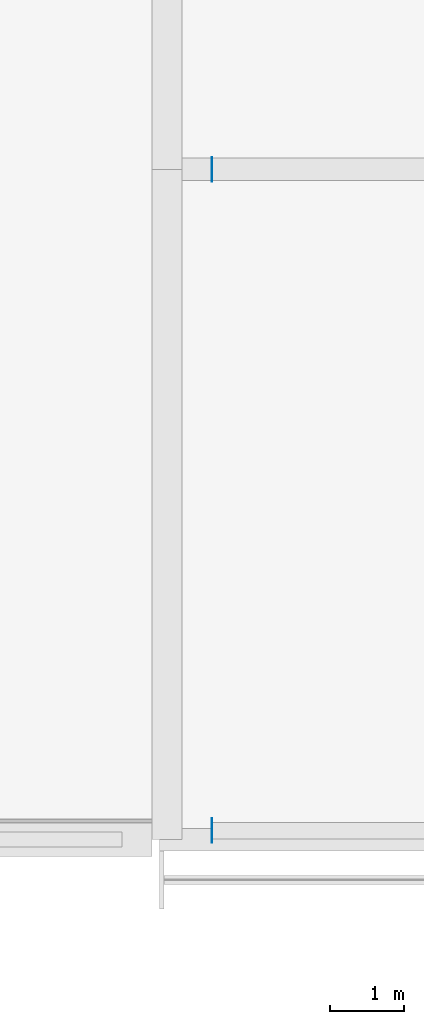
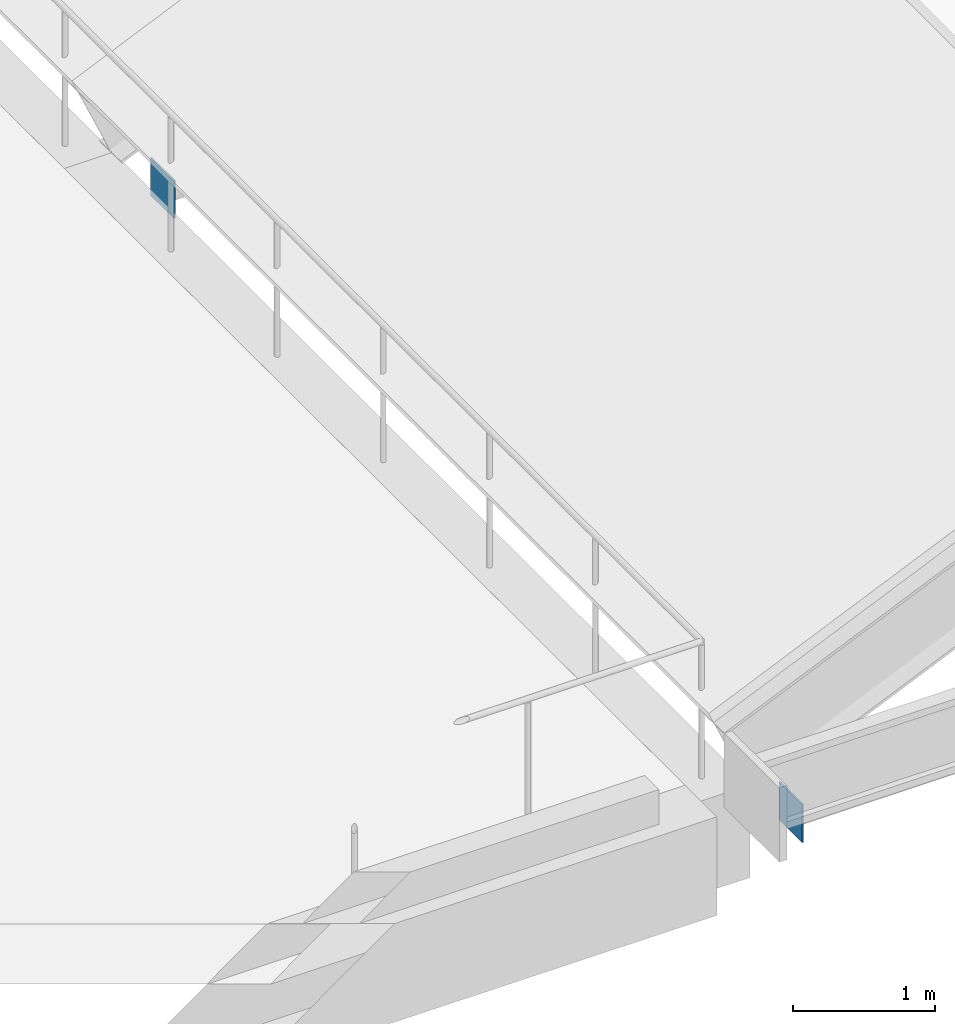
# One storey, part 86 of 106: 2 discrete accessories.
"""IFC4 building model written with IfcOpenShell, lengths in metres."""

from ifc_helpers import new_model, si_unit, direction, frame, origin, origin_2d, place, context, subcontext, project, spatial, rectangle, extrude, material, material_profile, profile_set, type_object, element, save


model = new_model("IFC4")

# Units and contexts
model_context = context("Model", 3, precision=1e-05, world=origin(), true_north=direction((0.0, 1.0)))
body_context = subcontext(model_context, "Body", "Model", "MODEL_VIEW")
ifc_project = project(units=[si_unit("LENGTHUNIT", "METRE"), si_unit("AREAUNIT", "SQUARE_METRE"), si_unit("VOLUMEUNIT", "CUBIC_METRE"), si_unit("PLANEANGLEUNIT", "RADIAN"), si_unit("MASSUNIT", "GRAM", prefix="KILO")], contexts=[model_context])

# Site, building, storey
site_placement = place(None, origin())
site = spatial("IfcSite", under=ifc_project, at=site_placement, CompositionType="ELEMENT")
building_placement = place(site_placement, origin())
building = spatial("IfcBuilding", under=site, at=building_placement, Name="Guidao Yard Department Store", CompositionType="ELEMENT")
storey_placement = place(building_placement, frame((0.0, 0.0, 10.5)))
storey = spatial("IfcBuildingStorey", under=building, at=storey_placement, Name="L02", CompositionType="ELEMENT", Elevation=10.5)

# Discrete accessories
ifc_material = material(Name="Steel Q355B", Category="steel")
ifc_material_profile = material_profile(ifc_material, rectangle(XDim=0.327880859375, YDim=0.011962890625, at=origin_2d()), Name="Node plate 328x12")
ifc_profile_set = profile_set([ifc_material_profile], Name="Steel Q355B")
discrete_accessory_type = type_object("IfcDiscreteAccessoryType", Name="Tie end plate NP3 328 steel", PredefinedType="BRACKET", material=ifc_profile_set)
discrete_accessory_1_placement = place(storey_placement, frame((126.406005859375, 53.9560546875, -0.449951171875), z_axis=(0.0, 1.0, 0.0), x_axis=(0.0, 0.0, 1.0)))
element("IfcDiscreteAccessory", 1, at=discrete_accessory_1_placement, inside=storey, type_object=discrete_accessory_type, Name="Tie end plate F01-1L", PredefinedType="BRACKET", context=body_context, shape_type="SweptSolid", body=[
    extrude(rectangle(XDim=0.327880859375, YDim=0.011962890625, at=origin_2d()), origin(), (0.0, 0.0, 1.0), 0.327880859375),
])
discrete_accessory_2_placement = place(storey_placement, frame((126.406005859375, 62.8359375, -0.449951171875), z_axis=(0.0, 1.0, 0.0), x_axis=(0.0, 0.0, 1.0)))
element("IfcDiscreteAccessory", 2, at=discrete_accessory_2_placement, inside=storey, type_object=discrete_accessory_type, Name="Tie end plate F02L", PredefinedType="BRACKET", context=body_context, shape_type="SweptSolid", body=[
    extrude(rectangle(XDim=0.327880859375, YDim=0.011962890625, at=origin_2d()), origin(), (0.0, 0.0, 1.0), 0.328125),
])

save(model, "model.ifc")
